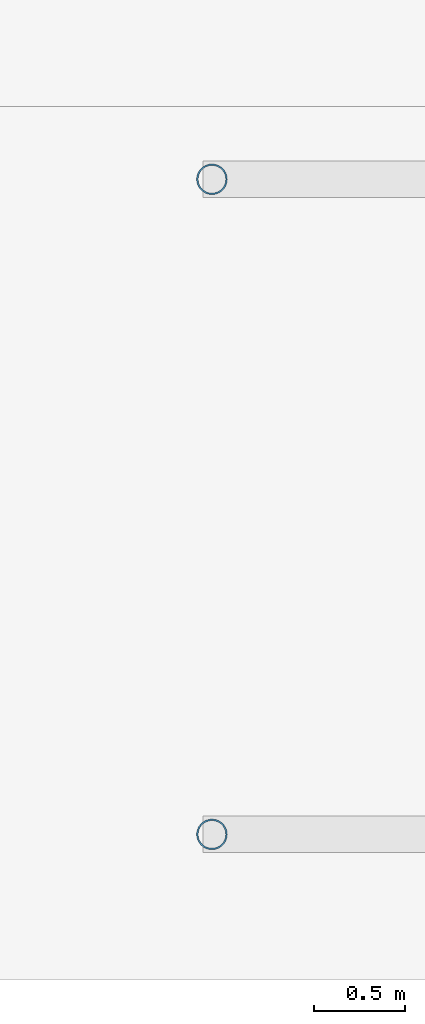
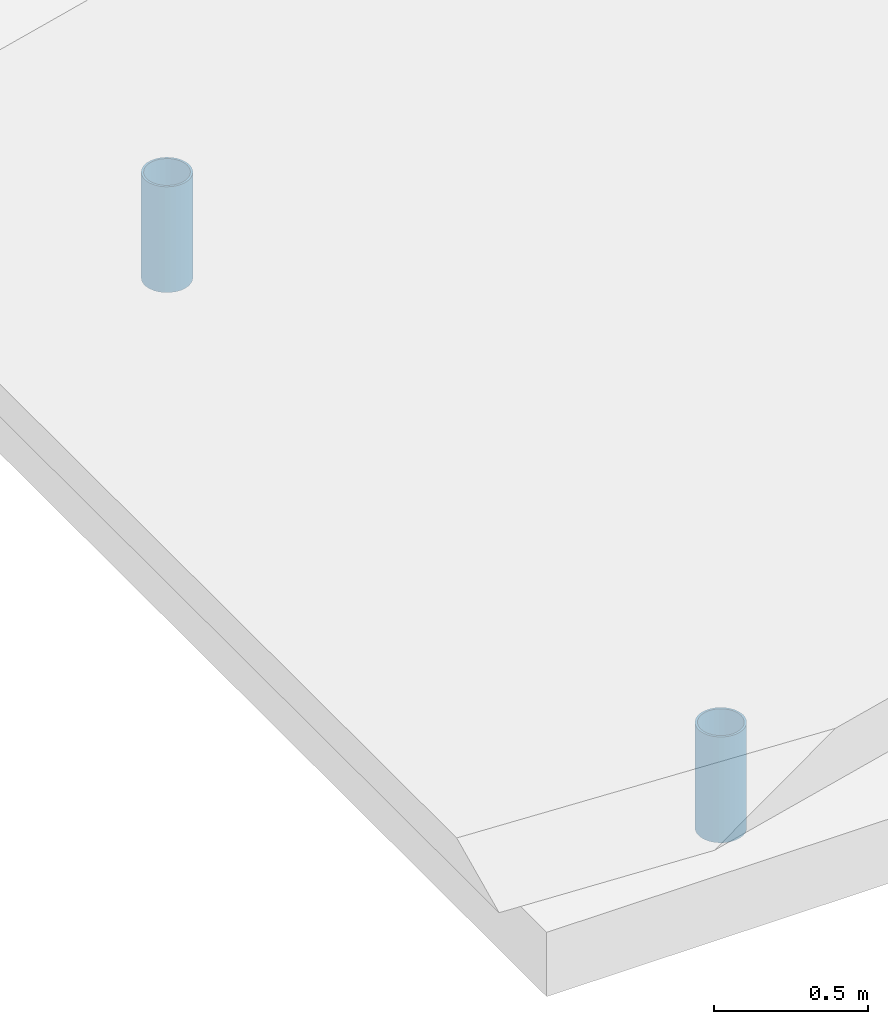
# One storey, part 161 of 217: 2 members.
"""IFC4 building model written with IfcOpenShell, lengths in metres."""

from ifc_helpers import new_model, si_unit, direction, frame, origin, origin_2d, place, context, subcontext, project, spatial, hollow_circle, extrude, material, material_profile, profile_set, type_object, element, save


model = new_model("IFC4")

# Units and contexts
model_context = context("Model", 3, precision=1e-05, world=origin(), true_north=direction((0.0, 1.0)))
body_context = subcontext(model_context, "Body", "Model", "MODEL_VIEW")
ifc_project = project(units=[si_unit("LENGTHUNIT", "METRE"), si_unit("AREAUNIT", "SQUARE_METRE"), si_unit("VOLUMEUNIT", "CUBIC_METRE"), si_unit("PLANEANGLEUNIT", "RADIAN"), si_unit("MASSUNIT", "GRAM", prefix="KILO")], contexts=[model_context])

# Site, building, storey
site_placement = place(None, origin())
site = spatial("IfcSite", under=ifc_project, at=site_placement, CompositionType="ELEMENT")
building_placement = place(site_placement, origin())
building = spatial("IfcBuilding", under=site, at=building_placement, Name="Mazaris Harbour Polytechnic", CompositionType="ELEMENT")
storey_placement = place(building_placement, frame((0.0, 0.0, 9.60009765625)))
storey = spatial("IfcBuildingStorey", under=building, at=storey_placement, Name="L02", CompositionType="ELEMENT", Elevation=9.60009765625)

# Members
ifc_material = material(Name="Steel S355", Category="steel")
ifc_material_profile = material_profile(ifc_material, hollow_circle(Radius=0.084228515625, WallThickness=0.008056640625, at=origin_2d()), Name="CHS 168.3x8.0")
ifc_profile_set = profile_set([ifc_material_profile], Name="Steel S355")
member_type = type_object("IfcMemberType", Name="Steel Truss Strut CHS168 Exterior", PredefinedType="STRUT", material=ifc_profile_set)
for number, where, z_axis, x_axis, name in (
    (1, (70.800048828125, -1.199951171875, -0.300048828125), (0.0, 0.0, 1.0), (1.0, 0.0, 0.0), "Portico Pediment Heel Post 70.8"),
    (2, (70.800048828125, 2.39990234375, -0.300048828125), (0.0, 0.0, 1.0), (1.0, 0.0, 0.0), "Portico Pediment Heel Post 70.8"),
):
    element("IfcMember", number, at=place(storey_placement, frame(where, z_axis=z_axis, x_axis=x_axis)), inside=storey, type_object=member_type, Name=name, PredefinedType="STRUT", context=body_context, shape_type="SweptSolid", body=[
        extrude(hollow_circle(Radius=0.084228515625, WallThickness=0.008056640625, at=origin_2d()), origin(), (0.0, 0.0, 1.0), 0.419921875),
    ])

save(model, "model.ifc")
